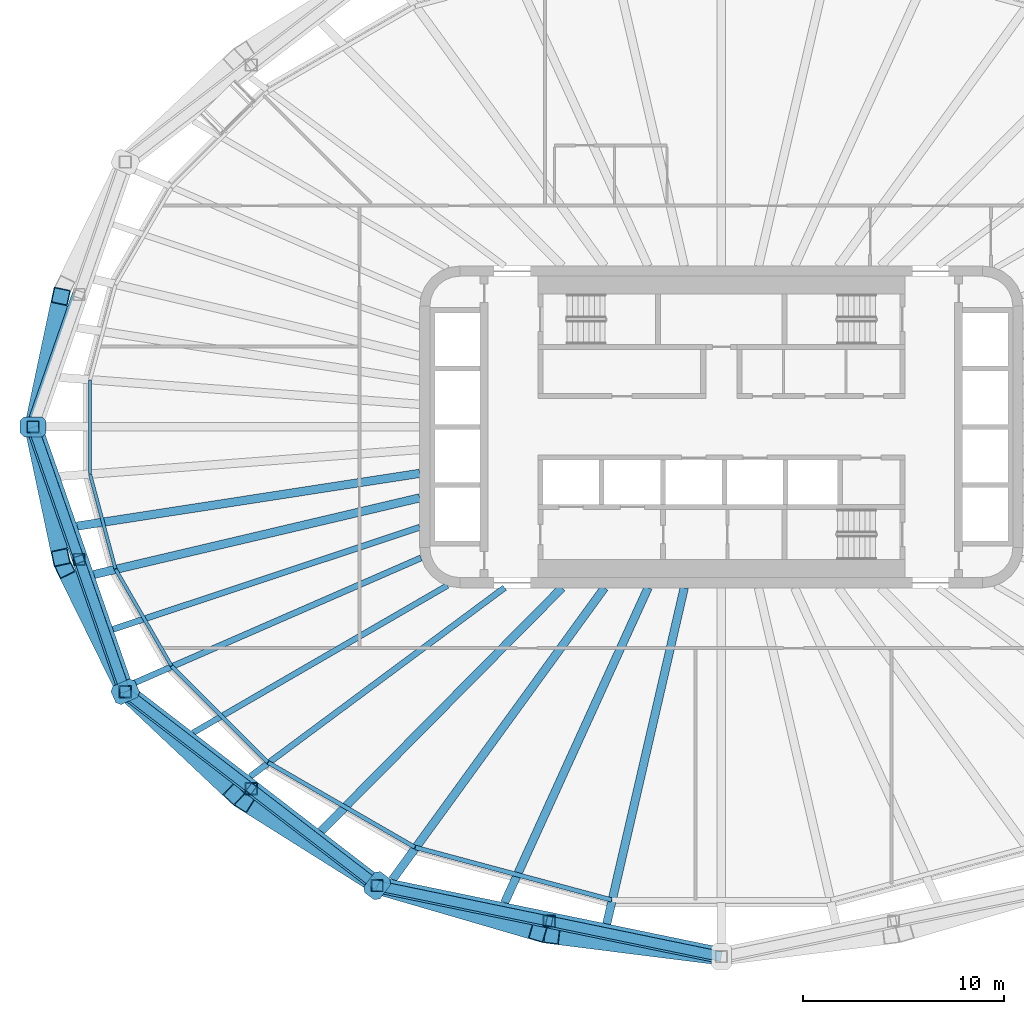
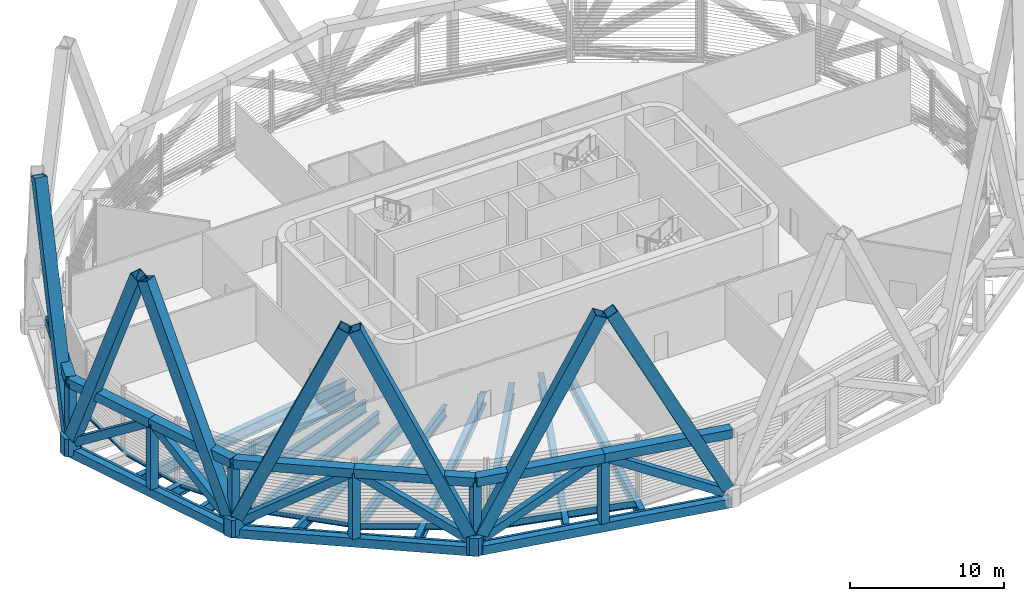
# One storey, part 1 of 18: 29 members, 22 beams.
"""IFC4 building model written with IfcOpenShell, lengths in metres."""

from ifc_helpers import new_model, si_unit, direction, frame, origin, origin_2d, place, context, subcontext, project, spatial, polyline, hollow_rectangle, i_section, outline, extrude, material, material_profile, profile_set, type_object, element, save


model = new_model("IFC4")

# Units and contexts
model_context = context("Model", 3, precision=1e-05, world=origin(), true_north=direction((0.0, 1.0)))
body_context = subcontext(model_context, "Body", "Model", "MODEL_VIEW")
ifc_project = project(units=[si_unit("LENGTHUNIT", "METRE"), si_unit("AREAUNIT", "SQUARE_METRE"), si_unit("VOLUMEUNIT", "CUBIC_METRE"), si_unit("PLANEANGLEUNIT", "RADIAN"), si_unit("MASSUNIT", "GRAM", prefix="KILO")], contexts=[model_context])

# Site, building, storey
site_placement = place(None, origin())
site = spatial("IfcSite", under=ifc_project, at=site_placement, CompositionType="ELEMENT")
building_placement = place(site_placement, origin())
building = spatial("IfcBuilding", under=site, at=building_placement, Name="Sahrelin Media Tower", CompositionType="ELEMENT")
storey_placement = place(building_placement, frame((0.0, 0.0, 148.199951171875)))
storey = spatial("IfcBuildingStorey", under=building, at=storey_placement, Name="L30", CompositionType="ELEMENT", Elevation=148.199951171875)

# Members
ifc_material_1 = material(Name="Steel S460", Category="steel")
ifc_material_profile_1 = material_profile(ifc_material_1, hollow_rectangle(XDim=0.699951171875, YDim=0.699951171875, WallThickness=0.044921875, at=origin_2d()), Name="Belt truss chord BC")
ifc_profile_set_1 = profile_set([ifc_material_profile_1], Name="Steel S460")
member_type_1 = type_object("IfcMemberType", Name="Belt truss chord BC", PredefinedType="CHORD", material=ifc_profile_set_1)
for number, where, z_axis, x_axis, name in (
    (1, (-31.935791015625, 6.58642578125, 4.900146484375), (-0.328781301843, -0.944406086151, 0.0), (0.944406086151, -0.328781301843, 0.0), "Belt truss member BT06-05-T2"),
    (2, (-34.228759765625, 0.0, 4.900146484375), (0.328781301843, -0.944406086151, 0.0), (0.944406086151, 0.328781301843, 0.0), "Belt truss member BT06-06-T1"),
    (3, (-31.935791015625, -6.58642578125, 4.900146484375), (0.328781301843, -0.944406086151, 0.0), (0.944406086151, 0.328781301843, 0.0), "Belt truss member BT06-06-T2"),
):
    element("IfcMember", number, at=place(storey_placement, frame(where, z_axis=z_axis, x_axis=x_axis)), inside=storey, type_object=member_type_1, Name=name, PredefinedType="CHORD", context=body_context, shape_type="SweptSolid", body=[
        extrude(hollow_rectangle(XDim=0.699951171875, YDim=0.699951171875, WallThickness=0.044921875, at=origin_2d()), origin(), (0.0, 0.0, 1.0), 6.97412109375),
    ])
member_1_placement = place(storey_placement, frame((-29.642822265625, -13.1728515625, 4.900146484375), z_axis=(0.792443697113, -0.609945068761, 0.0), x_axis=(0.609945068761, 0.792443697113, 0.0)))
element("IfcMember", 4, at=member_1_placement, inside=storey, type_object=member_type_1, Name="Belt truss member BT06-07-T1", PredefinedType="CHORD", context=body_context, shape_type="SweptSolid", body=[
    extrude(hollow_rectangle(XDim=0.699951171875, YDim=0.699951171875, WallThickness=0.044921875, at=origin_2d()), origin(), (0.0, 0.0, 1.0), 7.90478515625),
])
member_2_placement = place(storey_placement, frame((-23.378662109375, -17.994384765625, 4.900146484375), z_axis=(0.792455186877, -0.609930140911, 0.0), x_axis=(0.609930140911, 0.792455186877, 0.0)))
element("IfcMember", 5, at=member_2_placement, inside=storey, type_object=member_type_1, Name="Belt truss member BT06-07-T2", PredefinedType="CHORD", context=body_context, shape_type="SweptSolid", body=[
    extrude(hollow_rectangle(XDim=0.699951171875, YDim=0.699951171875, WallThickness=0.044921875, at=origin_2d()), origin(), (0.0, 0.0, 1.0), 7.905029296875),
])
for number, where, z_axis, x_axis, name in (
    (6, (-17.1142578125, -22.81591796875, 4.900146484375), (0.979386210613, -0.20199665953, 0.0), (0.20199665953, 0.979386210613, 0.0), "Belt truss member BT06-08-T1"),
    (7, (-8.55712890625, -24.580810546875, 4.900146484375), (0.979386210613, -0.20199665953, 0.0), (0.20199665953, 0.979386210613, 0.0), "Belt truss member BT06-08-T2"),
):
    element("IfcMember", number, at=place(storey_placement, frame(where, z_axis=z_axis, x_axis=x_axis)), inside=storey, type_object=member_type_1, Name=name, PredefinedType="CHORD", context=body_context, shape_type="SweptSolid", body=[
        extrude(hollow_rectangle(XDim=0.699951171875, YDim=0.699951171875, WallThickness=0.044921875, at=origin_2d()), origin(), (0.0, 0.0, 1.0), 8.7373046875),
    ])
ifc_material_profile_2 = material_profile(ifc_material_1, hollow_rectangle(XDim=0.5, YDim=0.60009765625, WallThickness=0.030029296875, at=origin_2d()), Name="Belt truss diagonal BD")
ifc_profile_set_2 = profile_set([ifc_material_profile_2], Name="Steel S460")
member_type_2 = type_object("IfcMemberType", Name="Belt truss diagonal BD", PredefinedType="BRACE", material=ifc_profile_set_2)
member_3_placement = place(storey_placement, frame((-34.0546875, -0.5, 0.3720703125), z_axis=(0.269018182349, -0.772741477817, 0.574891142763), x_axis=(0.944406303282, 0.328780678146, 0.0)))
element("IfcMember", 8, at=member_3_placement, inside=storey, type_object=member_type_2, Name="Belt truss member BT06-06-X1", PredefinedType="BRACE", context=body_context, shape_type="SweptSolid", body=[
    extrude(hollow_rectangle(XDim=0.5, YDim=0.60009765625, WallThickness=0.030029296875, at=origin_2d()), origin(), (0.0, 0.0, 1.0), 7.87646484375),
])
member_4_placement = place(storey_placement, frame((-29.807861328125, -12.69921875, 0.3525390625), z_axis=(-0.269002707075, 0.772750089461, 0.574886808706), x_axis=(-0.944413313299, -0.328760541525, 0.0)))
element("IfcMember", 9, at=member_4_placement, inside=storey, type_object=member_type_2, Name="Belt truss member BT06-06-X2", PredefinedType="BRACE", context=body_context, shape_type="SweptSolid", body=[
    extrude(hollow_rectangle(XDim=0.5, YDim=0.60009765625, WallThickness=0.030029296875, at=origin_2d()), origin(), (0.0, 0.0, 1.0), 7.910400390625),
])
member_5_placement = place(storey_placement, frame((-29.192138671875, -13.519775390625, 0.3525390625), z_axis=(0.673534148891, -0.51841650768, 0.526873869956), x_axis=(0.609942328801, 0.792445806057, 0.0)))
element("IfcMember", 10, at=member_5_placement, inside=storey, type_object=member_type_2, Name="Belt truss member BT06-07-X1", PredefinedType="BRACE", context=body_context, shape_type="SweptSolid", body=[
    extrude(hollow_rectangle(XDim=0.5, YDim=0.60009765625, WallThickness=0.030029296875, at=origin_2d()), origin(), (0.0, 0.0, 1.0), 8.63134765625),
])
member_6_placement = place(storey_placement, frame((-17.510498046875, -22.510986328125, 0.31005859375), z_axis=(-0.673550356599, 0.518417440385, 0.526852232253), x_axis=(-0.609933801011, -0.792452369789, 0.0)))
element("IfcMember", 11, at=member_6_placement, inside=storey, type_object=member_type_2, Name="Belt truss member BT06-07-X2", PredefinedType="BRACE", context=body_context, shape_type="SweptSolid", body=[
    extrude(hollow_rectangle(XDim=0.5, YDim=0.60009765625, WallThickness=0.030029296875, at=origin_2d()), origin(), (0.0, 0.0, 1.0), 8.71240234375),
])
member_7_placement = place(storey_placement, frame((-16.572998046875, -22.927490234375, 0.31005859375), z_axis=(0.854220181394, -0.17618795323, 0.489147919178), x_axis=(0.20200387828, 0.979384721731, 0.0)))
element("IfcMember", 12, at=member_7_placement, inside=storey, type_object=member_type_2, Name="Belt truss member BT06-08-X1", PredefinedType="BRACE", context=body_context, shape_type="SweptSolid", body=[
    extrude(hollow_rectangle(XDim=0.5, YDim=0.60009765625, WallThickness=0.030029296875, at=origin_2d()), origin(), (0.0, 0.0, 1.0), 9.3837890625),
])
member_8_placement = place(storey_placement, frame((-0.5, -26.24267578125, 0.286376953125), z_axis=(-0.854217177148, 0.176191028569, 0.489152057868), x_axis=(-0.202007941811, -0.979383883595, 0.0)))
element("IfcMember", 13, at=member_8_placement, inside=storey, type_object=member_type_2, Name="Belt truss member BT06-08-X2", PredefinedType="BRACE", context=body_context, shape_type="SweptSolid", body=[
    extrude(hollow_rectangle(XDim=0.5, YDim=0.60009765625, WallThickness=0.030029296875, at=origin_2d()), origin(), (0.0, 0.0, 1.0), 9.43212890625),
])
ifc_material_profile_3 = material_profile(ifc_material_1, hollow_rectangle(XDim=0.60009765625, YDim=0.60009765625, WallThickness=0.034912109375, at=origin_2d()), Name="Belt truss post BP")
ifc_profile_set_3 = profile_set([ifc_material_profile_3], Name="Steel S460")
member_type_3 = type_object("IfcMemberType", Name="Belt truss post BP", PredefinedType="POST", material=ifc_profile_set_3)
member_9_placement = place(storey_placement, frame((-34.228759765625, 0.0, 0.699951171875), z_axis=(0.0, 0.0, 1.0), x_axis=(1.0, 0.0, 0.0)))
element("IfcMember", 14, at=member_9_placement, inside=storey, type_object=member_type_3, Name="Belt truss member BT06-06-P0", PredefinedType="POST", context=body_context, shape_type="SweptSolid", body=[
    extrude(hollow_rectangle(XDim=0.60009765625, YDim=0.60009765625, WallThickness=0.034912109375, at=origin_2d()), origin(), (0.0, 0.0, 1.0), 4.2001953125),
])
member_10_placement = place(storey_placement, frame((-31.935791015625, -6.58642578125, -0.320068359375), z_axis=(0.0, 0.0, 1.0), x_axis=(1.0, 0.0, 0.0)))
element("IfcMember", 15, at=member_10_placement, inside=storey, type_object=member_type_3, Name="Belt truss member BT06-06-P1", PredefinedType="POST", context=body_context, shape_type="SweptSolid", body=[
    extrude(hollow_rectangle(XDim=0.60009765625, YDim=0.60009765625, WallThickness=0.034912109375, at=origin_2d()), origin(), (0.0, 0.0, 1.0), 5.22021484375),
])
member_11_placement = place(storey_placement, frame((-29.642822265625, -13.1728515625, 0.699951171875), z_axis=(0.0, 0.0, 1.0), x_axis=(1.0, 0.0, 0.0)))
element("IfcMember", 16, at=member_11_placement, inside=storey, type_object=member_type_3, Name="Belt truss member BT06-07-P0", PredefinedType="POST", context=body_context, shape_type="SweptSolid", body=[
    extrude(hollow_rectangle(XDim=0.60009765625, YDim=0.60009765625, WallThickness=0.034912109375, at=origin_2d()), origin(), (0.0, 0.0, 1.0), 4.2001953125),
])
member_12_placement = place(storey_placement, frame((-23.378662109375, -17.994384765625, -0.320068359375), z_axis=(0.0, 0.0, 1.0), x_axis=(1.0, 0.0, 0.0)))
element("IfcMember", 17, at=member_12_placement, inside=storey, type_object=member_type_3, Name="Belt truss member BT06-07-P1", PredefinedType="POST", context=body_context, shape_type="SweptSolid", body=[
    extrude(hollow_rectangle(XDim=0.60009765625, YDim=0.60009765625, WallThickness=0.034912109375, at=origin_2d()), origin(), (0.0, 0.0, 1.0), 5.22021484375),
])
member_13_placement = place(storey_placement, frame((-17.1142578125, -22.81591796875, 0.699951171875), z_axis=(0.0, 0.0, 1.0), x_axis=(1.0, 0.0, 0.0)))
element("IfcMember", 18, at=member_13_placement, inside=storey, type_object=member_type_3, Name="Belt truss member BT06-08-P0", PredefinedType="POST", context=body_context, shape_type="SweptSolid", body=[
    extrude(hollow_rectangle(XDim=0.60009765625, YDim=0.60009765625, WallThickness=0.034912109375, at=origin_2d()), origin(), (0.0, 0.0, 1.0), 4.2001953125),
])
member_14_placement = place(storey_placement, frame((-8.55712890625, -24.580810546875, -0.320068359375), z_axis=(0.0, 0.0, 1.0), x_axis=(1.0, 0.0, 0.0)))
element("IfcMember", 19, at=member_14_placement, inside=storey, type_object=member_type_3, Name="Belt truss member BT06-08-P1", PredefinedType="POST", context=body_context, shape_type="SweptSolid", body=[
    extrude(hollow_rectangle(XDim=0.60009765625, YDim=0.60009765625, WallThickness=0.034912109375, at=origin_2d()), origin(), (0.0, 0.0, 1.0), 5.22021484375),
])
ifc_material_profile_4 = material_profile(ifc_material_1, hollow_rectangle(XDim=0.85009765625, YDim=0.85009765625, WallThickness=0.044921875, at=origin_2d()), Name="Diagrid diagonal DG4")
ifc_profile_set_4 = profile_set([ifc_material_profile_4], Name="Steel S460")
member_type_4 = type_object("IfcMemberType", Name="Diagrid diagonal DG4", PredefinedType="BRACE", material=ifc_profile_set_4)
for number, where, z_axis, x_axis, name in (
    (20, (-34.1708984375, 0.272216796875, 0.699951171875), (0.076588260659, 0.361231133498, 0.929325726816), (-0.978254198931, 0.207409552031, 0.0), "Diagrid diagonal D06-11"),
    (21, (-34.1708984375, -0.272216796875, 0.699951171875), (0.076588260659, -0.361231133498, 0.929325726816), (0.978254198931, 0.207409552031, 0.0), "Diagrid diagonal D06-12"),
):
    element("IfcMember", number, at=place(storey_placement, frame(where, z_axis=z_axis, x_axis=x_axis)), inside=storey, type_object=member_type_4, Name=name, PredefinedType="BRACE", context=body_context, shape_type="SweptSolid", body=[
        extrude(hollow_rectangle(XDim=0.85009765625, YDim=0.85009765625, WallThickness=0.044921875, at=origin_2d()), origin(), (0.0, 0.0, 1.0), 17.216796875),
    ])
member_15_placement = place(storey_placement, frame((-29.769775390625, -12.9150390625, 0.699951171875), z_axis=(-0.167569441572, 0.340756997688, 0.925097373674), x_axis=(-0.897366617506, -0.44128579604, 0.0)))
element("IfcMember", 22, at=member_15_placement, inside=storey, type_object=member_type_4, Name="Diagrid diagonal D06-13", PredefinedType="BRACE", context=body_context, shape_type="SweptSolid", body=[
    extrude(hollow_rectangle(XDim=0.85009765625, YDim=0.85009765625, WallThickness=0.044921875, at=origin_2d()), origin(), (0.0, 0.0, 1.0), 17.29541015625),
])
member_16_placement = place(storey_placement, frame((-29.416259765625, -13.38623046875, 0.699951171875), z_axis=(0.295925654964, -0.278596172767, 0.913680567405), x_axis=(0.685466340944, 0.728104316313, 0.0)))
element("IfcMember", 23, at=member_16_placement, inside=storey, type_object=member_type_4, Name="Diagrid diagonal D06-14", PredefinedType="BRACE", context=body_context, shape_type="SweptSolid", body=[
    extrude(hollow_rectangle(XDim=0.85009765625, YDim=0.85009765625, WallThickness=0.044921875, at=origin_2d()), origin(), (0.0, 0.0, 1.0), 17.511474609375),
])
member_17_placement = place(storey_placement, frame((-17.3916015625, -22.6416015625, 0.699951171875), z_axis=(-0.358790983569, 0.225788733131, 0.905697785192), x_axis=(-0.532616119089, -0.846356939882, 0.0)))
element("IfcMember", 24, at=member_17_placement, inside=storey, type_object=member_type_4, Name="Diagrid diagonal D06-15", PredefinedType="BRACE", context=body_context, shape_type="SweptSolid", body=[
    extrude(hollow_rectangle(XDim=0.85009765625, YDim=0.85009765625, WallThickness=0.044921875, at=origin_2d()), origin(), (0.0, 0.0, 1.0), 17.666015625),
])
member_18_placement = place(storey_placement, frame((-16.779296875, -22.91357421875, 0.699951171875), z_axis=(0.428302446582, -0.124777586788, 0.894979088072), x_axis=(0.279702584075, 0.960086696326, 0.0)))
element("IfcMember", 25, at=member_18_placement, inside=storey, type_object=member_type_4, Name="Diagrid diagonal D06-16", PredefinedType="BRACE", context=body_context, shape_type="SweptSolid", body=[
    extrude(hollow_rectangle(XDim=0.85009765625, YDim=0.85009765625, WallThickness=0.044921875, at=origin_2d()), origin(), (0.0, 0.0, 1.0), 17.87744140625),
])
member_19_placement = place(storey_placement, frame((-0.353515625, -26.30126953125, 0.699951171875), z_axis=(-0.45007404316, 0.056529528278, 0.891200184081), x_axis=(-0.124621372618, -0.992204370826, 0.0)))
element("IfcMember", 26, at=member_19_placement, inside=storey, type_object=member_type_4, Name="Diagrid diagonal D06-17", PredefinedType="BRACE", context=body_context, shape_type="SweptSolid", body=[
    extrude(hollow_rectangle(XDim=0.85009765625, YDim=0.85009765625, WallThickness=0.044921875, at=origin_2d()), origin(), (0.0, 0.0, 1.0), 17.953369140625),
])
ifc_material_profile_5 = material_profile(ifc_material_1, outline(polyline([(0.449951171875, -0.5), (0.64990234375, -0.300048828125), (0.64990234375, 0.300048828125), (0.449951171875, 0.5), (-0.449951171875, 0.5), (-0.64990234375, 0.300048828125), (-0.64990234375, -0.300048828125), (-0.449951171875, -0.5), (0.449951171875, -0.5)])), Name="Diagrid node block 1300")
ifc_profile_set_5 = profile_set([ifc_material_profile_5], Name="Steel S460")
member_type_5 = type_object("IfcMemberType", Name="Diagrid node block 1300", PredefinedType="USERDEFINED", material=ifc_profile_set_5)
for number, where, z_axis, x_axis, name in (
    (27, (-34.228759765625, 0.0, -0.699951171875), (0.0, 0.0, 1.0), (-1.0, 0.0, 0.0), "Diagrid node N06-06"),
    (28, (-29.642822265625, -13.1728515625, -0.699951171875), (0.0, 0.0, 1.0), (-0.913831317054, -0.40609398416, 0.0), "Diagrid node N06-07"),
    (29, (-17.1142578125, -22.81591796875, -0.699951171875), (0.0, 0.0, 1.0), (-0.600051693363, -0.799961227368, 0.0), "Diagrid node N06-08"),
):
    element("IfcMember", number, at=place(storey_placement, frame(where, z_axis=z_axis, x_axis=x_axis)), inside=storey, type_object=member_type_5, Name=name, ObjectType="NODE", PredefinedType="USERDEFINED", context=body_context, shape_type="SweptSolid", body=[
        extrude(outline(polyline([(0.449951171875, -0.5), (0.64990234375, -0.300048828125), (0.64990234375, 0.300048828125), (0.449951171875, 0.5), (-0.449951171875, 0.5), (-0.64990234375, 0.300048828125), (-0.64990234375, -0.300048828125), (-0.449951171875, -0.5), (0.449951171875, -0.5)])), origin(), (0.0, 0.0, 1.0), 1.39990234375),
    ])

# Beams
ifc_material_profile_6 = material_profile(ifc_material_1, hollow_rectangle(XDim=0.5, YDim=0.699951171875, WallThickness=0.034912109375, at=origin_2d()), Name="Diagrid ring beam RB2")
ifc_profile_set_6 = profile_set([ifc_material_profile_6], Name="Steel S460")
beam_type_1 = type_object("IfcBeamType", Name="Diagrid ring beam RB2", PredefinedType="BEAM", material=ifc_profile_set_6)
beam_1_placement = place(storey_placement, frame((-34.228759765625, 0.0, -0.64990234375), z_axis=(0.328781301843, -0.944406086151, 0.0), x_axis=(0.944406086151, 0.328781301843, 0.0)))
element("IfcBeam", 30, at=beam_1_placement, inside=storey, type_object=beam_type_1, Name="Diagrid ring beam RB06-06", PredefinedType="BEAM", context=body_context, shape_type="SweptSolid", body=[
    extrude(hollow_rectangle(XDim=0.5, YDim=0.699951171875, WallThickness=0.034912109375, at=origin_2d()), origin(), (0.0, 0.0, 1.0), 13.9482421875),
])
beam_2_placement = place(storey_placement, frame((-29.642822265625, -13.1728515625, -0.64990234375), z_axis=(0.7924494421, -0.609937604772, 0.0), x_axis=(0.609937604772, 0.7924494421, 0.0)))
element("IfcBeam", 31, at=beam_2_placement, inside=storey, type_object=beam_type_1, Name="Diagrid ring beam RB06-07", PredefinedType="BEAM", context=body_context, shape_type="SweptSolid", body=[
    extrude(hollow_rectangle(XDim=0.5, YDim=0.699951171875, WallThickness=0.034912109375, at=origin_2d()), origin(), (0.0, 0.0, 1.0), 15.809814453125),
])
beam_3_placement = place(storey_placement, frame((-17.1142578125, -22.81591796875, -0.64990234375), z_axis=(0.979386210613, -0.20199665953, 0.0), x_axis=(0.20199665953, 0.979386210613, 0.0)))
element("IfcBeam", 32, at=beam_3_placement, inside=storey, type_object=beam_type_1, Name="Diagrid ring beam RB06-08", PredefinedType="BEAM", context=body_context, shape_type="SweptSolid", body=[
    extrude(hollow_rectangle(XDim=0.5, YDim=0.699951171875, WallThickness=0.034912109375, at=origin_2d()), origin(), (0.0, 0.0, 1.0), 17.474365234375),
])
ifc_material_2 = material(Name="Steel S355", Category="steel")
ifc_material_profile_7 = material_profile(ifc_material_2, i_section(OverallWidth=0.1650390625, OverallDepth=0.303466796875, WebThickness=0.006103515625, FlangeThickness=0.01025390625, FilletRadius=0.0087890625, at=origin_2d()), Name="UB 305x165x40")
ifc_profile_set_7 = profile_set([ifc_material_profile_7], Name="Steel S355")
beam_type_2 = type_object("IfcBeamType", Name="Edge beam EB2", PredefinedType="BEAM", material=ifc_profile_set_7)
beam_4_placement = place(storey_placement, frame((-30.1337890625, -7.05078125, -0.45166015625), z_axis=(-0.258846475781, 0.965918475844, 0.0), x_axis=(-0.965918475844, -0.258846475781, 0.0)))
element("IfcBeam", 33, at=beam_4_placement, inside=storey, type_object=beam_type_2, Name="Edge beam L30-12", PredefinedType="BEAM", context=body_context, shape_type="SweptSolid", body=[
    extrude(i_section(OverallWidth=0.1650390625, OverallDepth=0.303466796875, WebThickness=0.006103515625, FlangeThickness=0.01025390625, FilletRadius=0.0087890625, at=origin_2d()), origin(), (0.0, 0.0, 1.0), 4.864013671875),
])
beam_5_placement = place(storey_placement, frame((-31.396484375, -2.323974609375, -0.45166015625), z_axis=(0.0, 1.0, 0.0), x_axis=(-1.0, 0.0, 0.0)))
element("IfcBeam", 34, at=beam_5_placement, inside=storey, type_object=beam_type_2, Name="Edge beam L30-13", PredefinedType="BEAM", context=body_context, shape_type="SweptSolid", body=[
    extrude(i_section(OverallWidth=0.1650390625, OverallDepth=0.303466796875, WebThickness=0.006103515625, FlangeThickness=0.01025390625, FilletRadius=0.0087890625, at=origin_2d()), origin(), (0.0, 0.0, 1.0), 4.64794921875),
])
ifc_material_profile_8 = material_profile(ifc_material_2, i_section(OverallWidth=0.17138671875, OverallDepth=0.35498046875, WebThickness=0.00732421875, FlangeThickness=0.011474609375, FilletRadius=0.01025390625, at=origin_2d()), Name="UB 356x171x51")
ifc_profile_set_8 = profile_set([ifc_material_profile_8], Name="Steel S355")
beam_type_3 = type_object("IfcBeamType", Name="Edge beam EB3", PredefinedType="BEAM", material=ifc_profile_set_8)
beam_6_placement = place(storey_placement, frame((-27.351318359375, -11.878173828125, -0.4775390625), z_axis=(-0.499966449638, 0.866044773228, 0.0), x_axis=(-0.866044773228, -0.499966449638, 0.0)))
element("IfcBeam", 35, at=beam_6_placement, inside=storey, type_object=beam_type_3, Name="Edge beam L30-11", PredefinedType="BEAM", context=body_context, shape_type="SweptSolid", body=[
    extrude(i_section(OverallWidth=0.17138671875, OverallDepth=0.35498046875, WebThickness=0.00732421875, FlangeThickness=0.011474609375, FilletRadius=0.01025390625, at=origin_2d()), origin(), (0.0, 0.0, 1.0), 5.54345703125),
])
ifc_material_profile_9 = material_profile(ifc_material_2, i_section(OverallWidth=0.177978515625, OverallDepth=0.406494140625, WebThickness=0.0078125, FlangeThickness=0.0126953125, FilletRadius=0.01025390625, at=origin_2d()), Name="UB 406x178x60")
ifc_profile_set_9 = profile_set([ifc_material_profile_9], Name="Steel S355")
beam_type_4 = type_object("IfcBeamType", Name="Edge beam EB4", PredefinedType="BEAM", material=ifc_profile_set_9)
beam_7_placement = place(storey_placement, frame((-22.562255859375, -16.67236328125, -0.503173828125), z_axis=(-0.707106781187, 0.707106781187, 0.0), x_axis=(-0.707106781187, -0.707106781187, 0.0)))
element("IfcBeam", 36, at=beam_7_placement, inside=storey, type_object=beam_type_4, Name="Edge beam L30-10", PredefinedType="BEAM", context=body_context, shape_type="SweptSolid", body=[
    extrude(i_section(OverallWidth=0.177978515625, OverallDepth=0.406494140625, WebThickness=0.0078125, FlangeThickness=0.0126953125, FilletRadius=0.01025390625, at=origin_2d()), origin(), (0.0, 0.0, 1.0), 6.747802734375),
])
ifc_material_profile_10 = material_profile(ifc_material_2, i_section(OverallWidth=0.208740234375, OverallDepth=0.5283203125, WebThickness=0.009521484375, FlangeThickness=0.01318359375, FilletRadius=0.0126953125, at=origin_2d()), Name="UB 533x210x82")
ifc_profile_set_10 = profile_set([ifc_material_profile_10], Name="Steel S355")
beam_type_5 = type_object("IfcBeamType", Name="Edge beam EB6", PredefinedType="BEAM", material=ifc_profile_set_10)
beam_8_placement = place(storey_placement, frame((-15.24365234375, -20.902099609375, -0.564208984375), z_axis=(-0.866024877911, 0.500000910839, 0.0), x_axis=(-0.500000910839, -0.866024877911, 0.0)))
element("IfcBeam", 37, at=beam_8_placement, inside=storey, type_object=beam_type_5, Name="Edge beam L30-09", PredefinedType="BEAM", context=body_context, shape_type="SweptSolid", body=[
    extrude(i_section(OverallWidth=0.208740234375, OverallDepth=0.5283203125, WebThickness=0.009521484375, FlangeThickness=0.01318359375, FilletRadius=0.0126953125, at=origin_2d()), origin(), (0.0, 0.0, 1.0), 8.42431640625),
])
ifc_material_profile_11 = material_profile(ifc_material_2, i_section(OverallWidth=0.2275390625, OverallDepth=0.6025390625, WebThickness=0.010498046875, FlangeThickness=0.014892578125, FilletRadius=0.0126953125, at=origin_2d()), Name="UB 610x229x101")
ifc_profile_set_11 = profile_set([ifc_material_profile_11], Name="Steel S355")
beam_type_6 = type_object("IfcBeamType", Name="Edge beam EB7", PredefinedType="BEAM", material=ifc_profile_set_11)
beam_9_placement = place(storey_placement, frame((-5.45556640625, -23.52880859375, -0.601318359375), z_axis=(-0.965922278313, 0.258832285968, 0.0), x_axis=(-0.258832285968, -0.965922278313, 0.0)))
element("IfcBeam", 38, at=beam_9_placement, inside=storey, type_object=beam_type_6, Name="Edge beam L30-08", PredefinedType="BEAM", context=body_context, shape_type="SweptSolid", body=[
    extrude(i_section(OverallWidth=0.2275390625, OverallDepth=0.6025390625, WebThickness=0.010498046875, FlangeThickness=0.014892578125, FilletRadius=0.0126953125, at=origin_2d()), origin(), (0.0, 0.0, 1.0), 10.10595703125),
])
ifc_material_profile_12 = material_profile(ifc_material_2, i_section(OverallWidth=0.30322265625, OverallDepth=0.903076171875, WebThickness=0.01513671875, FlangeThickness=0.020263671875, FilletRadius=0.01904296875, at=origin_2d()), Name="UB 914x305x201")
ifc_profile_set_12 = profile_set([ifc_material_profile_12], Name="Steel S355")
beam_type_7 = type_object("IfcBeamType", Name="Radial primary beam PB11", PredefinedType="BEAM", material=ifc_profile_set_12)
beam_10_placement = place(storey_placement, frame((-14.93212890625, -6.51513671875, -0.75146484375), z_axis=(-0.916561684776, -0.399893333279, 0.0), x_axis=(0.399893333279, -0.916561684776, 0.0)))
element("IfcBeam", 39, at=beam_10_placement, inside=storey, type_object=beam_type_7, Name="Radial beam L30-15", PredefinedType="BEAM", context=body_context, shape_type="SweptSolid", body=[
    extrude(i_section(OverallWidth=0.30322265625, OverallDepth=0.903076171875, WebThickness=0.01513671875, FlangeThickness=0.020263671875, FilletRadius=0.01904296875, at=origin_2d()), origin(), (0.0, 0.0, 1.0), 15.682373046875),
])
beam_11_placement = place(storey_placement, frame((-10.78125, -8.0, -0.75146484375), z_axis=(-0.803053778037, -0.595906561116, 0.0), x_axis=(0.595906561116, -0.803053778037, 0.0)))
element("IfcBeam", 40, at=beam_11_placement, inside=storey, type_object=beam_type_7, Name="Radial beam L30-16", PredefinedType="BEAM", context=body_context, shape_type="SweptSolid", body=[
    extrude(i_section(OverallWidth=0.30322265625, OverallDepth=0.903076171875, WebThickness=0.01513671875, FlangeThickness=0.020263671875, FilletRadius=0.01904296875, at=origin_2d()), origin(), (0.0, 0.0, 1.0), 15.756591796875),
])
ifc_material_profile_13 = material_profile(ifc_material_2, i_section(OverallWidth=0.41845703125, OverallDepth=0.911865234375, WebThickness=0.019287109375, FlangeThickness=0.031982421875, FilletRadius=0.024169921875, at=origin_2d()), Name="UB 914x419x343")
ifc_profile_set_13 = profile_set([ifc_material_profile_13], Name="Steel S355")
beam_type_8 = type_object("IfcBeamType", Name="Radial primary beam PB12", PredefinedType="BEAM", material=ifc_profile_set_13)
beam_12_placement = place(storey_placement, frame((-15.0, -3.529541015625, -0.755859375), z_axis=(-0.973414282612, -0.229051597694, 0.0), x_axis=(0.229051597694, -0.973414282612, 0.0)))
element("IfcBeam", 41, at=beam_12_placement, inside=storey, type_object=beam_type_8, Name="Radial beam L30-14", PredefinedType="BEAM", context=body_context, shape_type="SweptSolid", body=[
    extrude(i_section(OverallWidth=0.41845703125, OverallDepth=0.911865234375, WebThickness=0.019287109375, FlangeThickness=0.031982421875, FilletRadius=0.024169921875, at=origin_2d()), origin(), (0.0, 0.0, 1.0), 16.6435546875),
])
beam_13_placement = place(storey_placement, frame((-5.810791015625, -8.0, -0.755859375), z_axis=(-0.587686175415, -0.809088968672, 0.0), x_axis=(0.809088968672, -0.587686175415, 0.0)))
element("IfcBeam", 42, at=beam_13_placement, inside=storey, type_object=beam_type_8, Name="Radial beam L30-17", PredefinedType="BEAM", context=body_context, shape_type="SweptSolid", body=[
    extrude(i_section(OverallWidth=0.41845703125, OverallDepth=0.911865234375, WebThickness=0.019287109375, FlangeThickness=0.031982421875, FilletRadius=0.024169921875, at=origin_2d()), origin(), (0.0, 0.0, 1.0), 17.943115234375),
])
beam_14_placement = place(storey_placement, frame((-1.8447265625, -8.0, -0.755859375), z_axis=(-0.224709827661, -0.974425724903, 0.0), x_axis=(0.974425724903, -0.224709827661, 0.0)))
element("IfcBeam", 43, at=beam_14_placement, inside=storey, type_object=beam_type_8, Name="Radial beam L30-18", PredefinedType="BEAM", context=body_context, shape_type="SweptSolid", body=[
    extrude(i_section(OverallWidth=0.41845703125, OverallDepth=0.911865234375, WebThickness=0.019287109375, FlangeThickness=0.031982421875, FilletRadius=0.024169921875, at=origin_2d()), origin(), (0.0, 0.0, 1.0), 17.154296875),
])
ifc_material_profile_14 = material_profile(ifc_material_2, i_section(OverallWidth=0.291748046875, OverallDepth=0.8349609375, WebThickness=0.013916015625, FlangeThickness=0.018798828125, FilletRadius=0.017822265625, at=origin_2d()), Name="UB 838x292x176")
ifc_profile_set_14 = profile_set([ifc_material_profile_14], Name="Steel S355")
beam_type_9 = type_object("IfcBeamType", Name="Radial secondary beam SB10", PredefinedType="BEAM", material=ifc_profile_set_14)
beam_15_placement = place(storey_placement, frame((-13.622314453125, -7.888427734375, -0.717529296875), z_axis=(-0.865372129268, -0.501129801435, 0.0), x_axis=(0.501129801435, -0.865372129268, 0.0)))
element("IfcBeam", 44, at=beam_15_placement, inside=storey, type_object=beam_type_9, Name="Secondary beam L30-15", PredefinedType="BEAM", context=body_context, shape_type="SweptSolid", body=[
    extrude(i_section(OverallWidth=0.291748046875, OverallDepth=0.8349609375, WebThickness=0.013916015625, FlangeThickness=0.018798828125, FilletRadius=0.017822265625, at=origin_2d()), origin(), (0.0, 0.0, 1.0), 14.610595703125),
])
ifc_material_profile_15 = material_profile(ifc_material_2, i_section(OverallWidth=0.30322265625, OverallDepth=0.903076171875, WebThickness=0.01513671875, FlangeThickness=0.020263671875, FilletRadius=0.01904296875, at=origin_2d()), Name="UB 914x305x201")
ifc_profile_set_15 = profile_set([ifc_material_profile_15], Name="Steel S355")
beam_type_10 = type_object("IfcBeamType", Name="Radial secondary beam SB11", PredefinedType="BEAM", material=ifc_profile_set_15)
beam_16_placement = place(storey_placement, frame((-15.0, -4.99169921875, -0.75146484375), z_axis=(-0.948835067855, -0.315772091876, 0.0), x_axis=(0.315772091876, -0.948835067855, 0.0)))
element("IfcBeam", 45, at=beam_16_placement, inside=storey, type_object=beam_type_10, Name="Secondary beam L30-14", PredefinedType="BEAM", context=body_context, shape_type="SweptSolid", body=[
    extrude(i_section(OverallWidth=0.30322265625, OverallDepth=0.903076171875, WebThickness=0.01513671875, FlangeThickness=0.020263671875, FilletRadius=0.01904296875, at=origin_2d()), origin(), (0.0, 0.0, 1.0), 16.07470703125),
])
ifc_material_profile_16 = material_profile(ifc_material_2, i_section(OverallWidth=0.41845703125, OverallDepth=0.911865234375, WebThickness=0.019287109375, FlangeThickness=0.031982421875, FilletRadius=0.024169921875, at=origin_2d()), Name="UB 914x419x343")
ifc_profile_set_16 = profile_set([ifc_material_profile_16], Name="Steel S355")
beam_type_11 = type_object("IfcBeamType", Name="Radial secondary beam SB12", PredefinedType="BEAM", material=ifc_profile_set_16)
beam_17_placement = place(storey_placement, frame((-15.0, -2.310791015625, -0.755859375), z_axis=(-0.98833778399, -0.152277459719, 0.0), x_axis=(0.152277459719, -0.98833778399, 0.0)))
element("IfcBeam", 46, at=beam_17_placement, inside=storey, type_object=beam_type_11, Name="Secondary beam L30-13", PredefinedType="BEAM", context=body_context, shape_type="SweptSolid", body=[
    extrude(i_section(OverallWidth=0.41845703125, OverallDepth=0.911865234375, WebThickness=0.019287109375, FlangeThickness=0.031982421875, FilletRadius=0.024169921875, at=origin_2d()), origin(), (0.0, 0.0, 1.0), 17.239990234375),
])
beam_18_placement = place(storey_placement, frame((-7.9189453125, -8.0, -0.755859375), z_axis=(-0.703486115933, -0.710709001413, 0.0), x_axis=(0.710709001413, -0.703486115933, 0.0)))
element("IfcBeam", 47, at=beam_18_placement, inside=storey, type_object=beam_type_11, Name="Secondary beam L30-16", PredefinedType="BEAM", context=body_context, shape_type="SweptSolid", body=[
    extrude(i_section(OverallWidth=0.41845703125, OverallDepth=0.911865234375, WebThickness=0.019287109375, FlangeThickness=0.031982421875, FilletRadius=0.024169921875, at=origin_2d()), origin(), (0.0, 0.0, 1.0), 17.03564453125),
])
beam_19_placement = place(storey_placement, frame((-3.64404296875, -8.0, -0.755859375), z_axis=(-0.414519724736, -0.910040327571, 0.0), x_axis=(0.910040327571, -0.414519724736, 0.0)))
element("IfcBeam", 48, at=beam_19_placement, inside=storey, type_object=beam_type_11, Name="Secondary beam L30-17", PredefinedType="BEAM", context=body_context, shape_type="SweptSolid", body=[
    extrude(i_section(OverallWidth=0.41845703125, OverallDepth=0.911865234375, WebThickness=0.019287109375, FlangeThickness=0.031982421875, FilletRadius=0.024169921875, at=origin_2d()), origin(), (0.0, 0.0, 1.0), 17.21630859375),
])
ifc_material_profile_17 = material_profile(ifc_material_2, i_section(OverallWidth=0.1904296875, OverallDepth=0.45703125, WebThickness=0.009033203125, FlangeThickness=0.014404296875, FilletRadius=0.01025390625, at=origin_2d()), Name="UB 457x191x74")
ifc_profile_set_17 = profile_set([ifc_material_profile_17], Name="Steel S355")
beam_type_12 = type_object("IfcBeamType", Name="Tie chord TC5", PredefinedType="BEAM", material=ifc_profile_set_17)
beam_20_placement = place(storey_placement, frame((0.0, -25.988037109375, -0.528564453125), z_axis=(-0.979387799512, 0.201988955557, 0.0), x_axis=(-0.201988955557, -0.979387799512, 0.0)))
element("IfcBeam", 49, at=beam_20_placement, inside=storey, type_object=beam_type_12, Name="Tie chord L30-04", PredefinedType="BEAM", context=body_context, shape_type="SweptSolid", body=[
    extrude(i_section(OverallWidth=0.1904296875, OverallDepth=0.45703125, WebThickness=0.009033203125, FlangeThickness=0.014404296875, FilletRadius=0.01025390625, at=origin_2d()), origin(), (0.0, 0.0, 1.0), 17.321533203125),
])
beam_21_placement = place(storey_placement, frame((-16.964599609375, -22.4892578125, -0.528564453125), z_axis=(-0.792445049932, 0.609943311167, 0.0), x_axis=(-0.609943311167, -0.792445049932, 0.0)))
element("IfcBeam", 50, at=beam_21_placement, inside=storey, type_object=beam_type_12, Name="Tie chord L30-05", PredefinedType="BEAM", context=body_context, shape_type="SweptSolid", body=[
    extrude(i_section(OverallWidth=0.1904296875, OverallDepth=0.45703125, WebThickness=0.009033203125, FlangeThickness=0.014404296875, FilletRadius=0.01025390625, at=origin_2d()), origin(), (0.0, 0.0, 1.0), 15.624755859375),
])
beam_22_placement = place(storey_placement, frame((-29.346435546875, -12.958984375, -0.528564453125), z_axis=(-0.328780773627, 0.944406270041, 0.0), x_axis=(-0.944406270041, -0.328780773627, 0.0)))
element("IfcBeam", 51, at=beam_22_placement, inside=storey, type_object=beam_type_12, Name="Tie chord L30-06", PredefinedType="BEAM", context=body_context, shape_type="SweptSolid", body=[
    extrude(i_section(OverallWidth=0.1904296875, OverallDepth=0.45703125, WebThickness=0.009033203125, FlangeThickness=0.014404296875, FilletRadius=0.01025390625, at=origin_2d()), origin(), (0.0, 0.0, 1.0), 13.721923828125),
])

save(model, "model.ifc")
